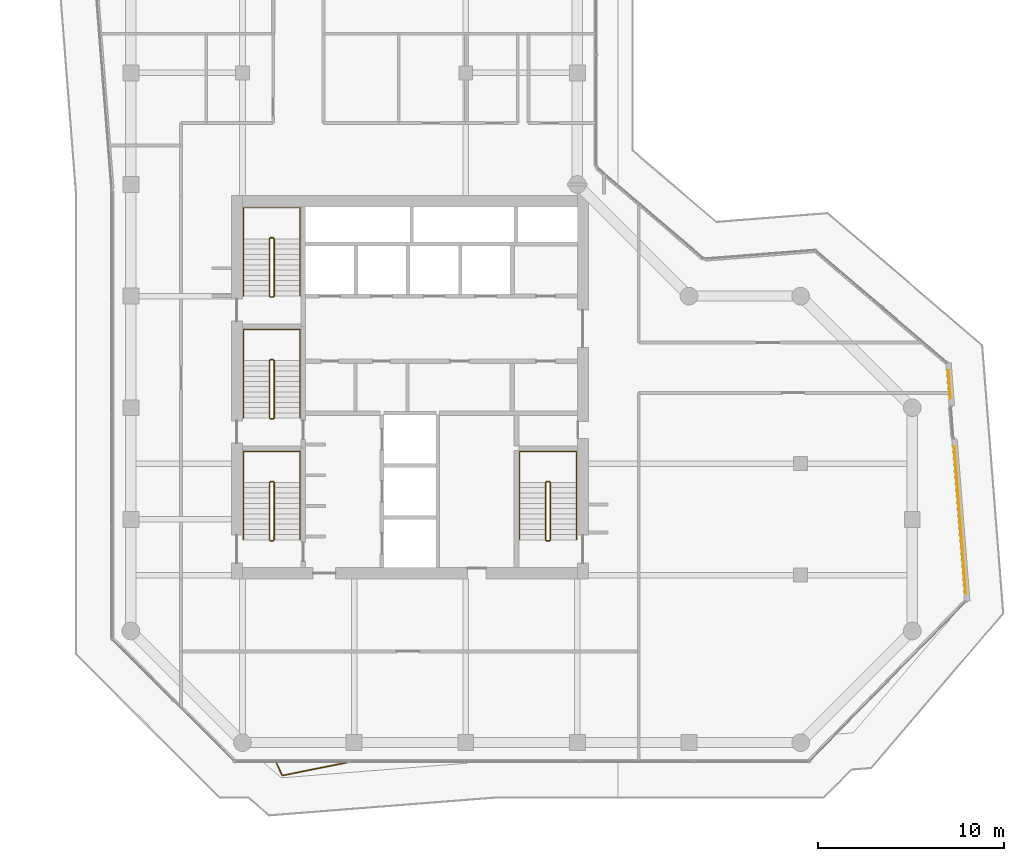
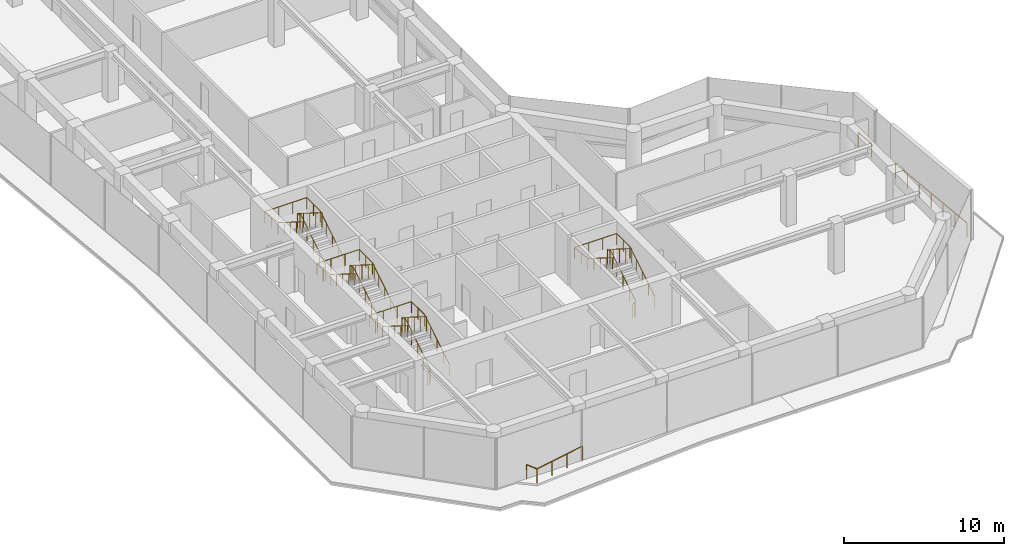
# One storey, part 22 of 23: 11 railings.
"""IFC4 building model written with IfcOpenShell, lengths in metres."""

from ifc_helpers import new_model, si_unit, direction, frame, origin, origin_2d, place, context, subcontext, project, spatial, circle, extrude, material, type_object, element, save


model = new_model("IFC4")

# Units and contexts
model_context = context("Model", 3, precision=1e-05, world=origin(), true_north=direction((0.0, 1.0)))
body_context = subcontext(model_context, "Body", "Model", "MODEL_VIEW")
ifc_project = project(units=[si_unit("LENGTHUNIT", "METRE"), si_unit("AREAUNIT", "SQUARE_METRE"), si_unit("VOLUMEUNIT", "CUBIC_METRE"), si_unit("PLANEANGLEUNIT", "RADIAN"), si_unit("MASSUNIT", "GRAM", prefix="KILO")], contexts=[model_context])

# Site, building, storey
site_placement = place(None, origin())
site = spatial("IfcSite", under=ifc_project, at=site_placement, CompositionType="ELEMENT")
building_placement = place(site_placement, origin())
building = spatial("IfcBuilding", under=site, at=building_placement, Name="Welwitschia Terrace Campus", CompositionType="ELEMENT")
storey_placement = place(building_placement, frame((0.0, 0.0, 188.60009765625)))
storey = spatial("IfcBuildingStorey", under=building, at=storey_placement, Name="L42", CompositionType="ELEMENT", Elevation=188.60009765625)

# Railings
ifc_material_1 = material(Name="Stainless steel grade 316", Category="steel")
railing_type_1 = type_object("IfcRailingType", Name="Guard 1100", PredefinedType="GUARDRAIL", material=ifc_material_1)
railing_1_placement = place(storey_placement, frame((11.8212890625, -5.030029296875, 0.0)))
element("IfcRailing", 1, at=railing_1_placement, inside=storey, type_object=railing_type_1, Name="Guard floor edge L42.1", PredefinedType="GUARDRAIL", context=body_context, shape_type="SweptSolid", body=[
    extrude(circle(Radius=0.02392578125, at=origin_2d()), frame((0.0, 0.0, 1.076171875), z_axis=(-0.980455692835, -0.196740017252, 0.0), x_axis=(0.196740017252, -0.980455692835, 0.0)), (0.0, 0.0, 1.0), 3.762451171875),
    extrude(circle(Radius=0.02392578125, at=origin_2d()), frame((-3.68896484375, -0.740234375, 1.076171875), z_axis=(-0.417232596534, 0.90879973613, 0.0), x_axis=(-0.90879973613, -0.417232596534, 0.0)), (0.0, 0.0, 1.0), 0.814453125),
    extrude(circle(Radius=0.02099609375, at=origin_2d()), origin(), (0.0, 0.0, 1.0), 1.052001953125),
    extrude(circle(Radius=0.02099609375, at=origin_2d()), frame((-1.229736328125, -0.246826171875, 0.0)), (0.0, 0.0, 1.0), 1.052001953125),
    extrude(circle(Radius=0.02099609375, at=origin_2d()), frame((-2.459228515625, -0.493408203125, 0.0)), (0.0, 0.0, 1.0), 1.052001953125),
    extrude(circle(Radius=0.02099609375, at=origin_2d()), frame((-3.68896484375, -0.740234375, 0.0)), (0.0, 0.0, 1.0), 1.052001953125),
    extrude(circle(Radius=0.02099609375, at=origin_2d()), frame((-4.02880859375, 0.0, 0.0)), (0.0, 0.0, 1.0), 1.052001953125),
])
railing_2_placement = place(storey_placement, frame((43.929931640625, 15.98828125, 0.0)))
element("IfcRailing", 2, at=railing_2_placement, inside=storey, type_object=railing_type_1, Name="Guard floor edge L42.3", PredefinedType="GUARDRAIL", context=body_context, shape_type="SweptSolid", body=[
    extrude(circle(Radius=0.02392578125, at=origin_2d()), frame((0.0, 0.0, 1.076171875), z_axis=(0.078441150902, -0.996918745859, 0.0), x_axis=(0.996918745859, 0.078441150902, 0.0)), (0.0, 0.0, 1.0), 1.466064453125),
    extrude(circle(Radius=0.02099609375, at=origin_2d()), origin(), (0.0, 0.0, 1.0), 1.052001953125),
    extrude(circle(Radius=0.02099609375, at=origin_2d()), frame((0.114990234375, -1.46142578125, 0.0)), (0.0, 0.0, 1.0), 1.052001953125),
])
railing_3_placement = place(storey_placement, frame((44.252685546875, 11.8876953125, 0.0)))
element("IfcRailing", 3, at=railing_3_placement, inside=storey, type_object=railing_type_1, Name="Guard floor edge L42.4", PredefinedType="GUARDRAIL", context=body_context, shape_type="SweptSolid", body=[
    extrude(circle(Radius=0.02392578125, at=origin_2d()), frame((0.0, 0.0, 1.076171875), z_axis=(0.078480004356, -0.996915687968, 0.0), x_axis=(0.996915687968, 0.078480004356, 0.0)), (0.0, 0.0, 1.0), 7.892333984375),
    extrude(circle(Radius=0.02099609375, at=origin_2d()), origin(), (0.0, 0.0, 1.0), 1.052001953125),
    extrude(circle(Radius=0.02099609375, at=origin_2d()), frame((0.103271484375, -1.311279296875, 0.0)), (0.0, 0.0, 1.0), 1.052001953125),
    extrude(circle(Radius=0.02099609375, at=origin_2d()), frame((0.20654296875, -2.62255859375, 0.0)), (0.0, 0.0, 1.0), 1.052001953125),
    extrude(circle(Radius=0.02099609375, at=origin_2d()), frame((0.3095703125, -3.93408203125, 0.0)), (0.0, 0.0, 1.0), 1.052001953125),
    extrude(circle(Radius=0.02099609375, at=origin_2d()), frame((0.412841796875, -5.245361328125, 0.0)), (0.0, 0.0, 1.0), 1.052001953125),
    extrude(circle(Radius=0.02099609375, at=origin_2d()), frame((0.51611328125, -6.556640625, 0.0)), (0.0, 0.0, 1.0), 1.052001953125),
    extrude(circle(Radius=0.02099609375, at=origin_2d()), frame((0.619384765625, -7.867919921875, 0.0)), (0.0, 0.0, 1.0), 1.052001953125),
])
ifc_material_2 = material(Name="Steel S355", Category="steel")
railing_type_2 = type_object("IfcRailingType", Name="Stair guard 1100", PredefinedType="GUARDRAIL", material=ifc_material_2)
railing_4_placement = place(storey_placement, frame((7.5, 6.85009765625, 0.0)))
element("IfcRailing", 4, at=railing_4_placement, inside=storey, type_object=railing_type_2, Name="L42 S1 stair guard", PredefinedType="GUARDRAIL", context=body_context, shape_type="SweptSolid", body=[
    extrude(circle(Radius=0.02392578125, at=origin_2d()), frame((0.0, 0.0, 1.076171875), z_axis=(1.0, 0.0, 0.0), x_axis=(0.0, 1.0, 0.0)), (0.0, 0.0, 1.0), 0.14990234375),
    extrude(circle(Radius=0.02392578125, at=origin_2d()), frame((0.14990234375, 0.0, 1.076171875), z_axis=(0.265474339444, 0.264179342666, 0.927217692888), x_axis=(-0.705375805398, 0.708833529934, 0.0)), (0.0, 0.0, 1.0), 0.1884765625),
    extrude(circle(Radius=0.02392578125, at=origin_2d()), frame((0.199951171875, 0.0498046875, 1.2509765625), z_axis=(0.0, 0.847998304005, 0.529998940003), x_axis=(-1.0, 0.0, 0.0)), (0.0, 0.0, 1.0), 3.632080078125),
    extrude(circle(Radius=0.02392578125, at=origin_2d()), frame((0.199951171875, 3.1298828125, 3.17578125), z_axis=(-0.707106781187, 0.707106781187, 0.0), x_axis=(-0.707106781187, -0.707106781187, 0.0)), (0.0, 0.0, 1.0), 0.07080078125),
    extrude(circle(Radius=0.02392578125, at=origin_2d()), frame((0.14990234375, 3.179931640625, 3.17578125), z_axis=(-1.0, 0.0, 0.0), x_axis=(0.0, -1.0, 0.0)), (0.0, 0.0, 1.0), 0.14990234375),
    extrude(circle(Radius=0.02392578125, at=origin_2d()), frame((0.0, 3.179931640625, 3.17578125), z_axis=(-0.265065253269, -0.265065253269, 0.927081885822), x_axis=(0.707106781187, -0.707106781187, 0.0)), (0.0, 0.0, 1.0), 0.188720703125),
    extrude(circle(Radius=0.02392578125, at=origin_2d()), frame((-0.050048828125, 3.1298828125, 3.35107421875), z_axis=(0.0, -0.847998304005, 0.529998940003), x_axis=(1.0, 0.0, 0.0)), (0.0, 0.0, 1.0), 3.632080078125),
    extrude(circle(Radius=0.02099609375, at=origin_2d()), origin(), (0.0, 0.0, 1.0), 1.052001953125),
    extrude(circle(Radius=0.02099609375, at=origin_2d()), frame((0.14990234375, 0.0, 0.0)), (0.0, 0.0, 1.0), 1.052001953125),
    extrude(circle(Radius=0.02099609375, at=origin_2d()), frame((0.199951171875, 0.0498046875, 0.1748046875)), (0.0, 0.0, 1.0), 1.052001953125),
    extrude(circle(Radius=0.02099609375, at=origin_2d()), frame((0.199951171875, 0.81982421875, 0.656005859375)), (0.0, 0.0, 1.0), 1.052001953125),
    extrude(circle(Radius=0.02099609375, at=origin_2d()), frame((0.199951171875, 1.58984375, 1.13720703125)), (0.0, 0.0, 1.0), 1.052001953125),
    extrude(circle(Radius=0.02099609375, at=origin_2d()), frame((0.199951171875, 2.35986328125, 1.61865234375)), (0.0, 0.0, 1.0), 1.052001953125),
    extrude(circle(Radius=0.02099609375, at=origin_2d()), frame((0.199951171875, 3.1298828125, 2.099853515625)), (0.0, 0.0, 1.0), 1.052001953125),
    extrude(circle(Radius=0.02099609375, at=origin_2d()), frame((0.14990234375, 3.179931640625, 2.099853515625)), (0.0, 0.0, 1.0), 1.052001953125),
    extrude(circle(Radius=0.02099609375, at=origin_2d()), frame((0.0, 3.179931640625, 2.099853515625)), (0.0, 0.0, 1.0), 1.052001953125),
    extrude(circle(Radius=0.02099609375, at=origin_2d()), frame((-0.050048828125, 3.1298828125, 2.27490234375)), (0.0, 0.0, 1.0), 1.052001953125),
    extrude(circle(Radius=0.02099609375, at=origin_2d()), frame((-0.050048828125, 2.35986328125, 2.756103515625)), (0.0, 0.0, 1.0), 1.052001953125),
    extrude(circle(Radius=0.02099609375, at=origin_2d()), frame((-0.050048828125, 1.58984375, 3.2373046875)), (0.0, 0.0, 1.0), 1.052001953125),
    extrude(circle(Radius=0.02099609375, at=origin_2d()), frame((-0.050048828125, 0.81982421875, 3.71875)), (0.0, 0.0, 1.0), 1.052001953125),
    extrude(circle(Radius=0.02099609375, at=origin_2d()), frame((-0.050048828125, 0.0498046875, 4.199951171875)), (0.0, 0.0, 1.0), 1.052001953125),
])
railing_5_placement = place(storey_placement, frame((7.5, 13.39990234375, 0.0)))
element("IfcRailing", 5, at=railing_5_placement, inside=storey, type_object=railing_type_2, Name="L42 S3 stair guard", PredefinedType="GUARDRAIL", context=body_context, shape_type="SweptSolid", body=[
    extrude(circle(Radius=0.02392578125, at=origin_2d()), frame((0.0, 0.0, 1.076171875), z_axis=(1.0, 0.0, 0.0), x_axis=(0.0, 1.0, 0.0)), (0.0, 0.0, 1.0), 0.14990234375),
    extrude(circle(Radius=0.02392578125, at=origin_2d()), frame((0.14990234375, 0.0, 1.076171875), z_axis=(0.265383341853, 0.265383341853, 0.926899867156), x_axis=(-0.707106781187, 0.707106781187, 0.0)), (0.0, 0.0, 1.0), 0.1884765625),
    extrude(circle(Radius=0.02392578125, at=origin_2d()), frame((0.199951171875, 0.050048828125, 1.2509765625), z_axis=(0.0, 0.847998304005, 0.529998940003), x_axis=(-1.0, 0.0, 0.0)), (0.0, 0.0, 1.0), 3.632080078125),
    extrude(circle(Radius=0.02392578125, at=origin_2d()), frame((0.199951171875, 3.130126953125, 3.17578125), z_axis=(-0.707106781187, 0.707106781187, 0.0), x_axis=(-0.707106781187, -0.707106781187, 0.0)), (0.0, 0.0, 1.0), 0.07080078125),
    extrude(circle(Radius=0.02392578125, at=origin_2d()), frame((0.14990234375, 3.18017578125, 3.17578125), z_axis=(-1.0, 0.0, 0.0), x_axis=(0.0, -1.0, 0.0)), (0.0, 0.0, 1.0), 0.14990234375),
    extrude(circle(Radius=0.02392578125, at=origin_2d()), frame((0.0, 3.18017578125, 3.17578125), z_axis=(-0.265065253269, -0.265065253269, 0.927081885822), x_axis=(0.707106781187, -0.707106781187, 0.0)), (0.0, 0.0, 1.0), 0.188720703125),
    extrude(circle(Radius=0.02392578125, at=origin_2d()), frame((-0.050048828125, 3.130126953125, 3.35107421875), z_axis=(0.0, -0.847998304005, 0.529998940003), x_axis=(1.0, 0.0, 0.0)), (0.0, 0.0, 1.0), 3.632080078125),
    extrude(circle(Radius=0.02099609375, at=origin_2d()), origin(), (0.0, 0.0, 1.0), 1.052001953125),
    extrude(circle(Radius=0.02099609375, at=origin_2d()), frame((0.14990234375, 0.0, 0.0)), (0.0, 0.0, 1.0), 1.052001953125),
    extrude(circle(Radius=0.02099609375, at=origin_2d()), frame((0.199951171875, 0.050048828125, 0.1748046875)), (0.0, 0.0, 1.0), 1.052001953125),
    extrude(circle(Radius=0.02099609375, at=origin_2d()), frame((0.199951171875, 0.820068359375, 0.656005859375)), (0.0, 0.0, 1.0), 1.052001953125),
    extrude(circle(Radius=0.02099609375, at=origin_2d()), frame((0.199951171875, 1.590087890625, 1.13720703125)), (0.0, 0.0, 1.0), 1.052001953125),
    extrude(circle(Radius=0.02099609375, at=origin_2d()), frame((0.199951171875, 2.360107421875, 1.61865234375)), (0.0, 0.0, 1.0), 1.052001953125),
    extrude(circle(Radius=0.02099609375, at=origin_2d()), frame((0.199951171875, 3.130126953125, 2.099853515625)), (0.0, 0.0, 1.0), 1.052001953125),
    extrude(circle(Radius=0.02099609375, at=origin_2d()), frame((0.14990234375, 3.18017578125, 2.099853515625)), (0.0, 0.0, 1.0), 1.052001953125),
    extrude(circle(Radius=0.02099609375, at=origin_2d()), frame((0.0, 3.18017578125, 2.099853515625)), (0.0, 0.0, 1.0), 1.052001953125),
    extrude(circle(Radius=0.02099609375, at=origin_2d()), frame((-0.050048828125, 3.130126953125, 2.27490234375)), (0.0, 0.0, 1.0), 1.052001953125),
    extrude(circle(Radius=0.02099609375, at=origin_2d()), frame((-0.050048828125, 2.360107421875, 2.756103515625)), (0.0, 0.0, 1.0), 1.052001953125),
    extrude(circle(Radius=0.02099609375, at=origin_2d()), frame((-0.050048828125, 1.590087890625, 3.2373046875)), (0.0, 0.0, 1.0), 1.052001953125),
    extrude(circle(Radius=0.02099609375, at=origin_2d()), frame((-0.050048828125, 0.820068359375, 3.71875)), (0.0, 0.0, 1.0), 1.052001953125),
    extrude(circle(Radius=0.02099609375, at=origin_2d()), frame((-0.050048828125, 0.050048828125, 4.199951171875)), (0.0, 0.0, 1.0), 1.052001953125),
])
railing_6_placement = place(storey_placement, frame((7.5, 19.949951171875, 0.0)))
element("IfcRailing", 6, at=railing_6_placement, inside=storey, type_object=railing_type_2, Name="L42 S4 stair guard", PredefinedType="GUARDRAIL", context=body_context, shape_type="SweptSolid", body=[
    extrude(circle(Radius=0.02392578125, at=origin_2d()), frame((0.0, 0.0, 1.076171875), z_axis=(1.0, 0.0, 0.0), x_axis=(0.0, 1.0, 0.0)), (0.0, 0.0, 1.0), 0.14990234375),
    extrude(circle(Radius=0.02392578125, at=origin_2d()), frame((0.14990234375, 0.0, 1.076171875), z_axis=(0.265383341853, 0.265383341853, 0.926899867156), x_axis=(-0.707106781187, 0.707106781187, 0.0)), (0.0, 0.0, 1.0), 0.1884765625),
    extrude(circle(Radius=0.02392578125, at=origin_2d()), frame((0.199951171875, 0.050048828125, 1.2509765625), z_axis=(0.0, 0.847998304005, 0.529998940003), x_axis=(-1.0, 0.0, 0.0)), (0.0, 0.0, 1.0), 3.632080078125),
    extrude(circle(Radius=0.02392578125, at=origin_2d()), frame((0.199951171875, 3.130126953125, 3.17578125), z_axis=(-0.708833529934, 0.705375805398, 0.0), x_axis=(-0.705375805398, -0.708833529934, 0.0)), (0.0, 0.0, 1.0), 0.070556640625),
    extrude(circle(Radius=0.02392578125, at=origin_2d()), frame((0.14990234375, 3.179931640625, 3.17578125), z_axis=(-1.0, 0.0, 0.0), x_axis=(0.0, -1.0, 0.0)), (0.0, 0.0, 1.0), 0.14990234375),
    extrude(circle(Radius=0.02392578125, at=origin_2d()), frame((0.0, 3.179931640625, 3.17578125), z_axis=(-0.265155923931, -0.263862480399, 0.927399011991), x_axis=(0.705375805398, -0.708833529934, 0.0)), (0.0, 0.0, 1.0), 0.188720703125),
    extrude(circle(Radius=0.02392578125, at=origin_2d()), frame((-0.050048828125, 3.130126953125, 3.35107421875), z_axis=(0.0, -0.847998304005, 0.529998940003), x_axis=(1.0, 0.0, 0.0)), (0.0, 0.0, 1.0), 3.632080078125),
    extrude(circle(Radius=0.02099609375, at=origin_2d()), origin(), (0.0, 0.0, 1.0), 1.052001953125),
    extrude(circle(Radius=0.02099609375, at=origin_2d()), frame((0.14990234375, 0.0, 0.0)), (0.0, 0.0, 1.0), 1.052001953125),
    extrude(circle(Radius=0.02099609375, at=origin_2d()), frame((0.199951171875, 0.050048828125, 0.1748046875)), (0.0, 0.0, 1.0), 1.052001953125),
    extrude(circle(Radius=0.02099609375, at=origin_2d()), frame((0.199951171875, 0.820068359375, 0.656005859375)), (0.0, 0.0, 1.0), 1.052001953125),
    extrude(circle(Radius=0.02099609375, at=origin_2d()), frame((0.199951171875, 1.590087890625, 1.13720703125)), (0.0, 0.0, 1.0), 1.052001953125),
    extrude(circle(Radius=0.02099609375, at=origin_2d()), frame((0.199951171875, 2.360107421875, 1.61865234375)), (0.0, 0.0, 1.0), 1.052001953125),
    extrude(circle(Radius=0.02099609375, at=origin_2d()), frame((0.199951171875, 3.130126953125, 2.099853515625)), (0.0, 0.0, 1.0), 1.052001953125),
    extrude(circle(Radius=0.02099609375, at=origin_2d()), frame((0.14990234375, 3.179931640625, 2.099853515625)), (0.0, 0.0, 1.0), 1.052001953125),
    extrude(circle(Radius=0.02099609375, at=origin_2d()), frame((0.0, 3.179931640625, 2.099853515625)), (0.0, 0.0, 1.0), 1.052001953125),
    extrude(circle(Radius=0.02099609375, at=origin_2d()), frame((-0.050048828125, 3.130126953125, 2.27490234375)), (0.0, 0.0, 1.0), 1.052001953125),
    extrude(circle(Radius=0.02099609375, at=origin_2d()), frame((-0.050048828125, 2.360107421875, 2.756103515625)), (0.0, 0.0, 1.0), 1.052001953125),
    extrude(circle(Radius=0.02099609375, at=origin_2d()), frame((-0.050048828125, 1.590087890625, 3.2373046875)), (0.0, 0.0, 1.0), 1.052001953125),
    extrude(circle(Radius=0.02099609375, at=origin_2d()), frame((-0.050048828125, 0.820068359375, 3.71875)), (0.0, 0.0, 1.0), 1.052001953125),
    extrude(circle(Radius=0.02099609375, at=origin_2d()), frame((-0.050048828125, 0.050048828125, 4.199951171875)), (0.0, 0.0, 1.0), 1.052001953125),
])
railing_7_placement = place(storey_placement, frame((22.35009765625, 6.85009765625, 0.0)))
element("IfcRailing", 7, at=railing_7_placement, inside=storey, type_object=railing_type_2, Name="L42 S2 stair guard", PredefinedType="GUARDRAIL", context=body_context, shape_type="SweptSolid", body=[
    extrude(circle(Radius=0.02392578125, at=origin_2d()), frame((0.0, 0.0, 1.076171875), z_axis=(1.0, 0.0, 0.0), x_axis=(0.0, 1.0, 0.0)), (0.0, 0.0, 1.0), 0.14990234375),
    extrude(circle(Radius=0.02392578125, at=origin_2d()), frame((0.14990234375, 0.0, 1.076171875), z_axis=(0.265474339444, 0.264179342666, 0.927217692888), x_axis=(-0.705375805398, 0.708833529934, 0.0)), (0.0, 0.0, 1.0), 0.1884765625),
    extrude(circle(Radius=0.02392578125, at=origin_2d()), frame((0.199951171875, 0.0498046875, 1.2509765625), z_axis=(0.0, 0.847998304005, 0.529998940003), x_axis=(-1.0, 0.0, 0.0)), (0.0, 0.0, 1.0), 3.632080078125),
    extrude(circle(Radius=0.02392578125, at=origin_2d()), frame((0.199951171875, 3.1298828125, 3.17578125), z_axis=(-0.707106781187, 0.707106781187, 0.0), x_axis=(-0.707106781187, -0.707106781187, 0.0)), (0.0, 0.0, 1.0), 0.07080078125),
    extrude(circle(Radius=0.02392578125, at=origin_2d()), frame((0.14990234375, 3.179931640625, 3.17578125), z_axis=(-1.0, 0.0, 0.0), x_axis=(0.0, -1.0, 0.0)), (0.0, 0.0, 1.0), 0.14990234375),
    extrude(circle(Radius=0.02392578125, at=origin_2d()), frame((0.0, 3.179931640625, 3.17578125), z_axis=(-0.265065253269, -0.265065253269, 0.927081885822), x_axis=(0.707106781187, -0.707106781187, 0.0)), (0.0, 0.0, 1.0), 0.188720703125),
    extrude(circle(Radius=0.02392578125, at=origin_2d()), frame((-0.050048828125, 3.1298828125, 3.35107421875), z_axis=(0.0, -0.847998304005, 0.529998940003), x_axis=(1.0, 0.0, 0.0)), (0.0, 0.0, 1.0), 3.632080078125),
    extrude(circle(Radius=0.02099609375, at=origin_2d()), origin(), (0.0, 0.0, 1.0), 1.052001953125),
    extrude(circle(Radius=0.02099609375, at=origin_2d()), frame((0.14990234375, 0.0, 0.0)), (0.0, 0.0, 1.0), 1.052001953125),
    extrude(circle(Radius=0.02099609375, at=origin_2d()), frame((0.199951171875, 0.0498046875, 0.1748046875)), (0.0, 0.0, 1.0), 1.052001953125),
    extrude(circle(Radius=0.02099609375, at=origin_2d()), frame((0.199951171875, 0.81982421875, 0.656005859375)), (0.0, 0.0, 1.0), 1.052001953125),
    extrude(circle(Radius=0.02099609375, at=origin_2d()), frame((0.199951171875, 1.58984375, 1.13720703125)), (0.0, 0.0, 1.0), 1.052001953125),
    extrude(circle(Radius=0.02099609375, at=origin_2d()), frame((0.199951171875, 2.35986328125, 1.61865234375)), (0.0, 0.0, 1.0), 1.052001953125),
    extrude(circle(Radius=0.02099609375, at=origin_2d()), frame((0.199951171875, 3.1298828125, 2.099853515625)), (0.0, 0.0, 1.0), 1.052001953125),
    extrude(circle(Radius=0.02099609375, at=origin_2d()), frame((0.14990234375, 3.179931640625, 2.099853515625)), (0.0, 0.0, 1.0), 1.052001953125),
    extrude(circle(Radius=0.02099609375, at=origin_2d()), frame((0.0, 3.179931640625, 2.099853515625)), (0.0, 0.0, 1.0), 1.052001953125),
    extrude(circle(Radius=0.02099609375, at=origin_2d()), frame((-0.050048828125, 3.1298828125, 2.27490234375)), (0.0, 0.0, 1.0), 1.052001953125),
    extrude(circle(Radius=0.02099609375, at=origin_2d()), frame((-0.050048828125, 2.35986328125, 2.756103515625)), (0.0, 0.0, 1.0), 1.052001953125),
    extrude(circle(Radius=0.02099609375, at=origin_2d()), frame((-0.050048828125, 1.58984375, 3.2373046875)), (0.0, 0.0, 1.0), 1.052001953125),
    extrude(circle(Radius=0.02099609375, at=origin_2d()), frame((-0.050048828125, 0.81982421875, 3.71875)), (0.0, 0.0, 1.0), 1.052001953125),
    extrude(circle(Radius=0.02099609375, at=origin_2d()), frame((-0.050048828125, 0.0498046875, 4.199951171875)), (0.0, 0.0, 1.0), 1.052001953125),
])
ifc_material_3 = material(Name="Steel S355", Category="steel")
railing_type_3 = type_object("IfcRailingType", Name="Stair handrail 900", PredefinedType="HANDRAIL", material=ifc_material_3)
railing_8_placement = place(storey_placement, frame((9.10009765625, 6.89990234375, 0.1748046875)))
element("IfcRailing", 8, at=railing_8_placement, inside=storey, type_object=railing_type_3, Name="L42 S1 stair handrail", PredefinedType="HANDRAIL", context=body_context, shape_type="SweptSolid", body=[
    extrude(circle(Radius=0.02392578125, at=origin_2d()), frame((0.0, 0.0, 0.8759765625), z_axis=(0.0, 0.847998304005, 0.529998940003), x_axis=(-1.0, 0.0, 0.0)), (0.0, 0.0, 1.0), 3.632080078125),
    extrude(circle(Radius=0.02392578125, at=origin_2d()), frame((0.0, 3.080078125, 2.80078125), z_axis=(0.0, 1.0, 0.0), x_axis=(-1.0, 0.0, 0.0)), (0.0, 0.0, 1.0), 1.669921875),
    extrude(circle(Radius=0.02392578125, at=origin_2d()), frame((0.0, 4.75, 2.80078125), z_axis=(-1.0, 0.0, 0.0), x_axis=(0.0, -1.0, 0.0)), (0.0, 0.0, 1.0), 3.050048828125),
    extrude(circle(Radius=0.02392578125, at=origin_2d()), frame((-3.050048828125, 4.75, 2.80078125), z_axis=(0.0, -0.99455077262, 0.104253348533), x_axis=(1.0, 0.0, 0.0)), (0.0, 0.0, 1.0), 1.678955078125),
    extrude(circle(Radius=0.02392578125, at=origin_2d()), frame((-3.050048828125, 3.080078125, 2.97607421875), z_axis=(0.0, -0.847998304005, 0.529998940003), x_axis=(1.0, 0.0, 0.0)), (0.0, 0.0, 1.0), 3.632080078125),
    extrude(circle(Radius=0.02099609375, at=origin_2d()), origin(), (0.0, 0.0, 1.0), 0.851806640625),
    extrude(circle(Radius=0.02099609375, at=origin_2d()), frame((0.0, 0.77001953125, 0.481201171875)), (0.0, 0.0, 1.0), 0.851806640625),
    extrude(circle(Radius=0.02099609375, at=origin_2d()), frame((0.0, 1.5400390625, 0.96240234375)), (0.0, 0.0, 1.0), 0.851806640625),
    extrude(circle(Radius=0.02099609375, at=origin_2d()), frame((0.0, 2.31005859375, 1.44384765625)), (0.0, 0.0, 1.0), 0.851806640625),
    extrude(circle(Radius=0.02099609375, at=origin_2d()), frame((0.0, 3.080078125, 1.925048828125)), (0.0, 0.0, 1.0), 0.851806640625),
    extrude(circle(Radius=0.02099609375, at=origin_2d()), frame((0.0, 3.9150390625, 1.925048828125)), (0.0, 0.0, 1.0), 0.851806640625),
    extrude(circle(Radius=0.02099609375, at=origin_2d()), frame((0.0, 4.75, 1.925048828125)), (0.0, 0.0, 1.0), 0.851806640625),
    extrude(circle(Radius=0.02099609375, at=origin_2d()), frame((-1.0166015625, 4.75, 1.925048828125)), (0.0, 0.0, 1.0), 0.851806640625),
    extrude(circle(Radius=0.02099609375, at=origin_2d()), frame((-2.033447265625, 4.75, 1.925048828125)), (0.0, 0.0, 1.0), 0.851806640625),
    extrude(circle(Radius=0.02099609375, at=origin_2d()), frame((-3.050048828125, 4.75, 1.925048828125)), (0.0, 0.0, 1.0), 0.851806640625),
    extrude(circle(Radius=0.02099609375, at=origin_2d()), frame((-3.050048828125, 3.9150390625, 2.0126953125)), (0.0, 0.0, 1.0), 0.851806640625),
    extrude(circle(Radius=0.02099609375, at=origin_2d()), frame((-3.050048828125, 3.080078125, 2.10009765625)), (0.0, 0.0, 1.0), 0.851806640625),
    extrude(circle(Radius=0.02099609375, at=origin_2d()), frame((-3.050048828125, 2.31005859375, 2.581298828125)), (0.0, 0.0, 1.0), 0.851806640625),
    extrude(circle(Radius=0.02099609375, at=origin_2d()), frame((-3.050048828125, 1.5400390625, 3.0625)), (0.0, 0.0, 1.0), 0.851806640625),
    extrude(circle(Radius=0.02099609375, at=origin_2d()), frame((-3.050048828125, 0.77001953125, 3.5439453125)), (0.0, 0.0, 1.0), 0.851806640625),
    extrude(circle(Radius=0.02099609375, at=origin_2d()), frame((-3.050048828125, 0.0, 4.025146484375)), (0.0, 0.0, 1.0), 0.851806640625),
])
railing_9_placement = place(storey_placement, frame((9.10009765625, 13.449951171875, 0.1748046875)))
element("IfcRailing", 9, at=railing_9_placement, inside=storey, type_object=railing_type_3, Name="L42 S3 stair handrail", PredefinedType="HANDRAIL", context=body_context, shape_type="SweptSolid", body=[
    extrude(circle(Radius=0.02392578125, at=origin_2d()), frame((0.0, 0.0, 0.8759765625), z_axis=(0.0, 0.847998304005, 0.529998940003), x_axis=(-1.0, 0.0, 0.0)), (0.0, 0.0, 1.0), 3.632080078125),
    extrude(circle(Radius=0.02392578125, at=origin_2d()), frame((0.0, 3.080078125, 2.80078125), z_axis=(0.0, 1.0, 0.0), x_axis=(-1.0, 0.0, 0.0)), (0.0, 0.0, 1.0), 1.669921875),
    extrude(circle(Radius=0.02392578125, at=origin_2d()), frame((0.0, 4.75, 2.80078125), z_axis=(-1.0, 0.0, 0.0), x_axis=(0.0, -1.0, 0.0)), (0.0, 0.0, 1.0), 3.050048828125),
    extrude(circle(Radius=0.02392578125, at=origin_2d()), frame((-3.050048828125, 4.75, 2.80078125), z_axis=(0.0, -0.99455077262, 0.104253348533), x_axis=(1.0, 0.0, 0.0)), (0.0, 0.0, 1.0), 1.678955078125),
    extrude(circle(Radius=0.02392578125, at=origin_2d()), frame((-3.050048828125, 3.080078125, 2.97607421875), z_axis=(0.0, -0.847998304005, 0.529998940003), x_axis=(1.0, 0.0, 0.0)), (0.0, 0.0, 1.0), 3.632080078125),
    extrude(circle(Radius=0.02099609375, at=origin_2d()), origin(), (0.0, 0.0, 1.0), 0.851806640625),
    extrude(circle(Radius=0.02099609375, at=origin_2d()), frame((0.0, 0.77001953125, 0.481201171875)), (0.0, 0.0, 1.0), 0.851806640625),
    extrude(circle(Radius=0.02099609375, at=origin_2d()), frame((0.0, 1.5400390625, 0.96240234375)), (0.0, 0.0, 1.0), 0.851806640625),
    extrude(circle(Radius=0.02099609375, at=origin_2d()), frame((0.0, 2.31005859375, 1.44384765625)), (0.0, 0.0, 1.0), 0.851806640625),
    extrude(circle(Radius=0.02099609375, at=origin_2d()), frame((0.0, 3.080078125, 1.925048828125)), (0.0, 0.0, 1.0), 0.851806640625),
    extrude(circle(Radius=0.02099609375, at=origin_2d()), frame((0.0, 3.9150390625, 1.925048828125)), (0.0, 0.0, 1.0), 0.851806640625),
    extrude(circle(Radius=0.02099609375, at=origin_2d()), frame((0.0, 4.75, 1.925048828125)), (0.0, 0.0, 1.0), 0.851806640625),
    extrude(circle(Radius=0.02099609375, at=origin_2d()), frame((-1.0166015625, 4.75, 1.925048828125)), (0.0, 0.0, 1.0), 0.851806640625),
    extrude(circle(Radius=0.02099609375, at=origin_2d()), frame((-2.033447265625, 4.75, 1.925048828125)), (0.0, 0.0, 1.0), 0.851806640625),
    extrude(circle(Radius=0.02099609375, at=origin_2d()), frame((-3.050048828125, 4.75, 1.925048828125)), (0.0, 0.0, 1.0), 0.851806640625),
    extrude(circle(Radius=0.02099609375, at=origin_2d()), frame((-3.050048828125, 3.9150390625, 2.0126953125)), (0.0, 0.0, 1.0), 0.851806640625),
    extrude(circle(Radius=0.02099609375, at=origin_2d()), frame((-3.050048828125, 3.080078125, 2.10009765625)), (0.0, 0.0, 1.0), 0.851806640625),
    extrude(circle(Radius=0.02099609375, at=origin_2d()), frame((-3.050048828125, 2.31005859375, 2.581298828125)), (0.0, 0.0, 1.0), 0.851806640625),
    extrude(circle(Radius=0.02099609375, at=origin_2d()), frame((-3.050048828125, 1.5400390625, 3.0625)), (0.0, 0.0, 1.0), 0.851806640625),
    extrude(circle(Radius=0.02099609375, at=origin_2d()), frame((-3.050048828125, 0.77001953125, 3.5439453125)), (0.0, 0.0, 1.0), 0.851806640625),
    extrude(circle(Radius=0.02099609375, at=origin_2d()), frame((-3.050048828125, 0.0, 4.025146484375)), (0.0, 0.0, 1.0), 0.851806640625),
])
railing_10_placement = place(storey_placement, frame((9.10009765625, 20.0, 0.1748046875)))
element("IfcRailing", 10, at=railing_10_placement, inside=storey, type_object=railing_type_3, Name="L42 S4 stair handrail", PredefinedType="HANDRAIL", context=body_context, shape_type="SweptSolid", body=[
    extrude(circle(Radius=0.02392578125, at=origin_2d()), frame((0.0, 0.0, 0.8759765625), z_axis=(0.0, 0.847998304005, 0.529998940003), x_axis=(-1.0, 0.0, 0.0)), (0.0, 0.0, 1.0), 3.632080078125),
    extrude(circle(Radius=0.02392578125, at=origin_2d()), frame((0.0, 3.080078125, 2.80078125), z_axis=(0.0, 1.0, 0.0), x_axis=(-1.0, 0.0, 0.0)), (0.0, 0.0, 1.0), 1.669921875),
    extrude(circle(Radius=0.02392578125, at=origin_2d()), frame((0.0, 4.75, 2.80078125), z_axis=(-1.0, 0.0, 0.0), x_axis=(0.0, -1.0, 0.0)), (0.0, 0.0, 1.0), 3.050048828125),
    extrude(circle(Radius=0.02392578125, at=origin_2d()), frame((-3.050048828125, 4.75, 2.80078125), z_axis=(0.0, -0.99455077262, 0.104253348533), x_axis=(1.0, 0.0, 0.0)), (0.0, 0.0, 1.0), 1.678955078125),
    extrude(circle(Radius=0.02392578125, at=origin_2d()), frame((-3.050048828125, 3.080078125, 2.97607421875), z_axis=(0.0, -0.847998304005, 0.529998940003), x_axis=(1.0, 0.0, 0.0)), (0.0, 0.0, 1.0), 3.632080078125),
    extrude(circle(Radius=0.02099609375, at=origin_2d()), origin(), (0.0, 0.0, 1.0), 0.851806640625),
    extrude(circle(Radius=0.02099609375, at=origin_2d()), frame((0.0, 0.77001953125, 0.481201171875)), (0.0, 0.0, 1.0), 0.851806640625),
    extrude(circle(Radius=0.02099609375, at=origin_2d()), frame((0.0, 1.5400390625, 0.96240234375)), (0.0, 0.0, 1.0), 0.851806640625),
    extrude(circle(Radius=0.02099609375, at=origin_2d()), frame((0.0, 2.31005859375, 1.44384765625)), (0.0, 0.0, 1.0), 0.851806640625),
    extrude(circle(Radius=0.02099609375, at=origin_2d()), frame((0.0, 3.080078125, 1.925048828125)), (0.0, 0.0, 1.0), 0.851806640625),
    extrude(circle(Radius=0.02099609375, at=origin_2d()), frame((0.0, 3.9150390625, 1.925048828125)), (0.0, 0.0, 1.0), 0.851806640625),
    extrude(circle(Radius=0.02099609375, at=origin_2d()), frame((0.0, 4.75, 1.925048828125)), (0.0, 0.0, 1.0), 0.851806640625),
    extrude(circle(Radius=0.02099609375, at=origin_2d()), frame((-1.0166015625, 4.75, 1.925048828125)), (0.0, 0.0, 1.0), 0.851806640625),
    extrude(circle(Radius=0.02099609375, at=origin_2d()), frame((-2.033447265625, 4.75, 1.925048828125)), (0.0, 0.0, 1.0), 0.851806640625),
    extrude(circle(Radius=0.02099609375, at=origin_2d()), frame((-3.050048828125, 4.75, 1.925048828125)), (0.0, 0.0, 1.0), 0.851806640625),
    extrude(circle(Radius=0.02099609375, at=origin_2d()), frame((-3.050048828125, 3.9150390625, 2.0126953125)), (0.0, 0.0, 1.0), 0.851806640625),
    extrude(circle(Radius=0.02099609375, at=origin_2d()), frame((-3.050048828125, 3.080078125, 2.10009765625)), (0.0, 0.0, 1.0), 0.851806640625),
    extrude(circle(Radius=0.02099609375, at=origin_2d()), frame((-3.050048828125, 2.31005859375, 2.581298828125)), (0.0, 0.0, 1.0), 0.851806640625),
    extrude(circle(Radius=0.02099609375, at=origin_2d()), frame((-3.050048828125, 1.5400390625, 3.0625)), (0.0, 0.0, 1.0), 0.851806640625),
    extrude(circle(Radius=0.02099609375, at=origin_2d()), frame((-3.050048828125, 0.77001953125, 3.5439453125)), (0.0, 0.0, 1.0), 0.851806640625),
    extrude(circle(Radius=0.02099609375, at=origin_2d()), frame((-3.050048828125, 0.0, 4.025146484375)), (0.0, 0.0, 1.0), 0.851806640625),
])
railing_11_placement = place(storey_placement, frame((23.949951171875, 6.89990234375, 0.1748046875)))
element("IfcRailing", 11, at=railing_11_placement, inside=storey, type_object=railing_type_3, Name="L42 S2 stair handrail", PredefinedType="HANDRAIL", context=body_context, shape_type="SweptSolid", body=[
    extrude(circle(Radius=0.02392578125, at=origin_2d()), frame((0.0, 0.0, 0.8759765625), z_axis=(0.0, 0.847998304005, 0.529998940003), x_axis=(-1.0, 0.0, 0.0)), (0.0, 0.0, 1.0), 3.632080078125),
    extrude(circle(Radius=0.02392578125, at=origin_2d()), frame((0.0, 3.080078125, 2.80078125), z_axis=(0.0, 1.0, 0.0), x_axis=(-1.0, 0.0, 0.0)), (0.0, 0.0, 1.0), 1.669921875),
    extrude(circle(Radius=0.02392578125, at=origin_2d()), frame((0.0, 4.75, 2.80078125), z_axis=(-1.0, 0.0, 0.0), x_axis=(0.0, -1.0, 0.0)), (0.0, 0.0, 1.0), 3.050048828125),
    extrude(circle(Radius=0.02392578125, at=origin_2d()), frame((-3.050048828125, 4.75, 2.80078125), z_axis=(0.0, -0.99455077262, 0.104253348533), x_axis=(1.0, 0.0, 0.0)), (0.0, 0.0, 1.0), 1.678955078125),
    extrude(circle(Radius=0.02392578125, at=origin_2d()), frame((-3.050048828125, 3.080078125, 2.97607421875), z_axis=(0.0, -0.847998304005, 0.529998940003), x_axis=(1.0, 0.0, 0.0)), (0.0, 0.0, 1.0), 3.632080078125),
    extrude(circle(Radius=0.02099609375, at=origin_2d()), origin(), (0.0, 0.0, 1.0), 0.851806640625),
    extrude(circle(Radius=0.02099609375, at=origin_2d()), frame((0.0, 0.77001953125, 0.481201171875)), (0.0, 0.0, 1.0), 0.851806640625),
    extrude(circle(Radius=0.02099609375, at=origin_2d()), frame((0.0, 1.5400390625, 0.96240234375)), (0.0, 0.0, 1.0), 0.851806640625),
    extrude(circle(Radius=0.02099609375, at=origin_2d()), frame((0.0, 2.31005859375, 1.44384765625)), (0.0, 0.0, 1.0), 0.851806640625),
    extrude(circle(Radius=0.02099609375, at=origin_2d()), frame((0.0, 3.080078125, 1.925048828125)), (0.0, 0.0, 1.0), 0.851806640625),
    extrude(circle(Radius=0.02099609375, at=origin_2d()), frame((0.0, 3.9150390625, 1.925048828125)), (0.0, 0.0, 1.0), 0.851806640625),
    extrude(circle(Radius=0.02099609375, at=origin_2d()), frame((0.0, 4.75, 1.925048828125)), (0.0, 0.0, 1.0), 0.851806640625),
    extrude(circle(Radius=0.02099609375, at=origin_2d()), frame((-1.0166015625, 4.75, 1.925048828125)), (0.0, 0.0, 1.0), 0.851806640625),
    extrude(circle(Radius=0.02099609375, at=origin_2d()), frame((-2.033447265625, 4.75, 1.925048828125)), (0.0, 0.0, 1.0), 0.851806640625),
    extrude(circle(Radius=0.02099609375, at=origin_2d()), frame((-3.050048828125, 4.75, 1.925048828125)), (0.0, 0.0, 1.0), 0.851806640625),
    extrude(circle(Radius=0.02099609375, at=origin_2d()), frame((-3.050048828125, 3.9150390625, 2.0126953125)), (0.0, 0.0, 1.0), 0.851806640625),
    extrude(circle(Radius=0.02099609375, at=origin_2d()), frame((-3.050048828125, 3.080078125, 2.10009765625)), (0.0, 0.0, 1.0), 0.851806640625),
    extrude(circle(Radius=0.02099609375, at=origin_2d()), frame((-3.050048828125, 2.31005859375, 2.581298828125)), (0.0, 0.0, 1.0), 0.851806640625),
    extrude(circle(Radius=0.02099609375, at=origin_2d()), frame((-3.050048828125, 1.5400390625, 3.0625)), (0.0, 0.0, 1.0), 0.851806640625),
    extrude(circle(Radius=0.02099609375, at=origin_2d()), frame((-3.050048828125, 0.77001953125, 3.5439453125)), (0.0, 0.0, 1.0), 0.851806640625),
    extrude(circle(Radius=0.02099609375, at=origin_2d()), frame((-3.050048828125, 0.0, 4.025146484375)), (0.0, 0.0, 1.0), 0.851806640625),
])

save(model, "model.ifc")
